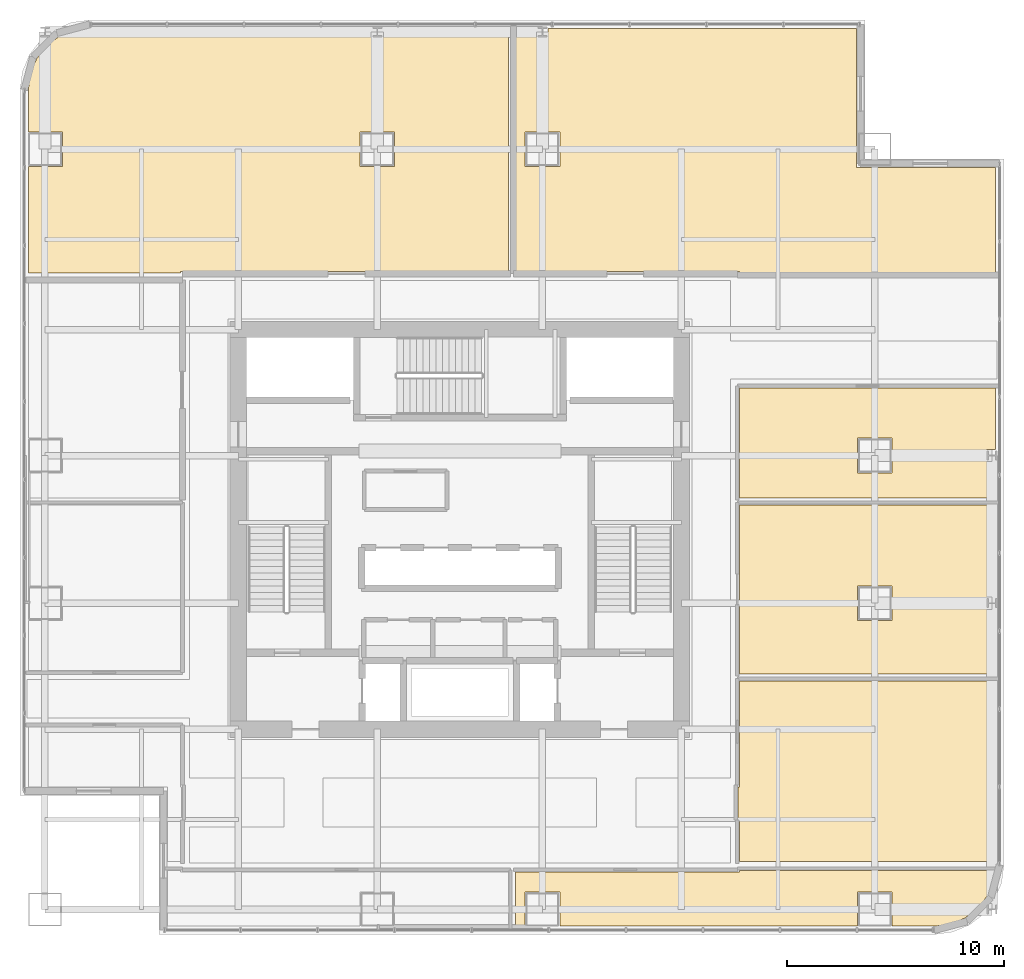
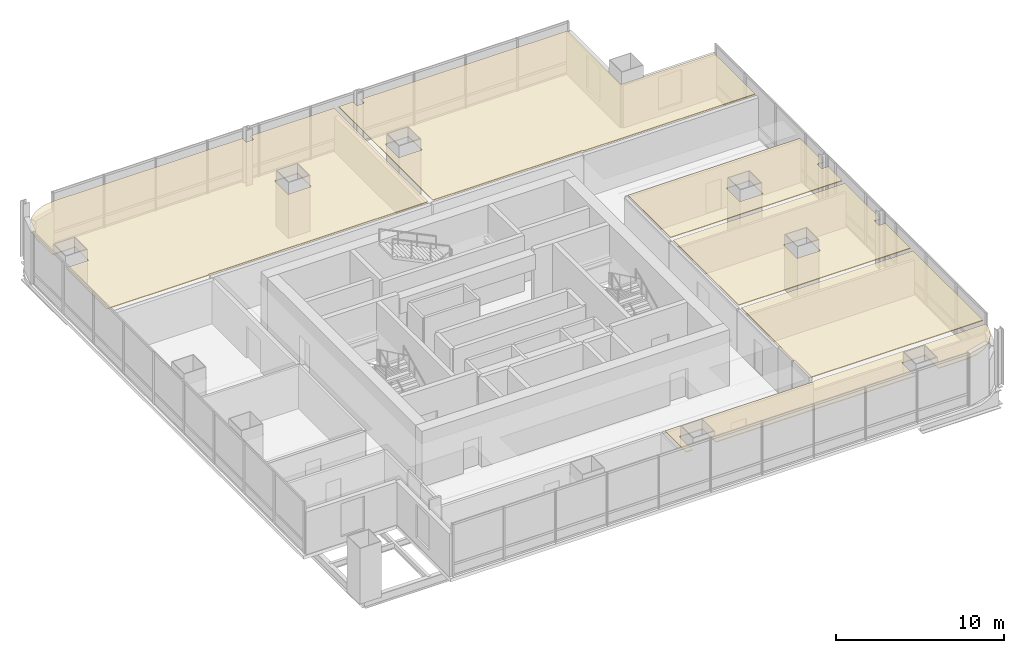
# One storey, part 35 of 35: 6 coverings.
"""IFC4 building model written with IfcOpenShell, lengths in metres."""

from ifc_helpers import new_model, si_unit, direction, frame, origin, place, context, subcontext, project, spatial, polyline, outline, extrude, material, layer, layer_set, type_object, element, save


model = new_model("IFC4")

# Units and contexts
model_context = context("Model", 3, precision=1e-05, world=origin(), true_north=direction((0.0, 1.0)))
body_context = subcontext(model_context, "Body", "Model", "MODEL_VIEW")
ifc_project = project(units=[si_unit("LENGTHUNIT", "METRE"), si_unit("AREAUNIT", "SQUARE_METRE"), si_unit("VOLUMEUNIT", "CUBIC_METRE"), si_unit("PLANEANGLEUNIT", "RADIAN"), si_unit("MASSUNIT", "GRAM", prefix="KILO")], contexts=[model_context])

# Site, building, storey
site_placement = place(None, origin())
site = spatial("IfcSite", under=ifc_project, at=site_placement, CompositionType="ELEMENT")
building_placement = place(site_placement, origin())
building = spatial("IfcBuilding", under=site, at=building_placement, Name="Punatoya Terracotta Tower", CompositionType="ELEMENT")
storey_placement = place(building_placement, frame((0.0, 0.0, 113.25)))
storey = spatial("IfcBuildingStorey", under=building, at=storey_placement, Name="L26", CompositionType="ELEMENT", Elevation=113.25)

# Coverings
ifc_material = material(Name="Acoustic Mineral Fibre Ceiling")
ifc_layer = layer(ifc_material, 0.06005859375)
ifc_layer_set = layer_set([ifc_layer], Name="Acoustic Mineral Fibre Ceiling")
covering_type = type_object("IfcCoveringType", Name="COV-CEIL-60", PredefinedType="CEILING", material=ifc_layer_set)
covering_1_placement = place(storey_placement, frame((0.0, 0.0, 3.199951171875)))
element("IfcCovering", 1, at=covering_1_placement, inside=storey, type_object=covering_type, Name="L26 Open-Plan Executive Bistro Lounge Acoustic Ceiling", PredefinedType="CEILING", context=body_context, shape_type="SweptSolid", body=[
    extrude(outline(polyline([(2.56005859375, -15.77001953125), (2.56005859375, -18.27001953125), (3.0, -18.27001953125), (3.0, -16.699951171875), (4.60009765625, -16.699951171875), (4.60009765625, -18.27001953125), (18.300048828125, -18.27001953125), (18.300048828125, -16.699951171875), (19.89990234375, -16.699951171875), (19.89990234375, -18.27001953125), (21.8251953125, -18.27001953125), (22.5791015625, -18.1708984375), (23.25830078125, -17.889404296875), (23.841796875, -17.441650390625), (24.289306640625, -16.8583984375), (24.57080078125, -16.178955078125), (24.632568359375, -15.7099609375), (12.8701171875, -15.7099609375), (12.8701171875, -15.77001953125), (2.56005859375, -15.77001953125)])), origin(), (0.0, 0.0, 1.0), 0.06005859375),
])
covering_2_placement = place(storey_placement, frame((0.0, 0.0, 3.199951171875)))
element("IfcCovering", 2, at=covering_2_placement, inside=storey, type_object=covering_type, Name="L26 Catering Tea Pantry Acoustic Ceiling", PredefinedType="CEILING", context=body_context, shape_type="SweptSolid", body=[
    extrude(outline(polyline([(12.81005859375, -13.280029296875), (12.8701171875, -13.280029296875), (12.8701171875, -15.2900390625), (24.669921875, -15.2900390625), (24.669921875, -6.969970703125), (12.8701171875, -6.969970703125), (12.8701171875, -11.8701171875), (12.81005859375, -11.8701171875), (12.81005859375, -13.280029296875)])), origin(), (0.0, 0.0, 1.0), 0.06005859375),
])
covering_3_placement = place(storey_placement, frame((0.0, 0.0, 3.199951171875)))
element("IfcCovering", 3, at=covering_3_placement, inside=storey, type_object=covering_type, Name="L26 Open-Plan Private Dining Boardroom Acoustic Ceiling", PredefinedType="CEILING", context=body_context, shape_type="SweptSolid", body=[
    extrude(outline(polyline([(24.669921875, -3.126953125), (24.669921875, 1.1298828125), (12.8701171875, 1.1298828125), (12.8701171875, -6.64990234375), (24.669921875, -6.64990234375), (24.669921875, -3.673095703125), (24.241943359375, -3.673095703125), (24.241943359375, -3.126953125), (24.669921875, -3.126953125)]), holes=[polyline([(19.89990234375, -2.60009765625), (19.89990234375, -4.199951171875), (18.300048828125, -4.199951171875), (18.300048828125, -2.60009765625), (19.89990234375, -2.60009765625)])]), origin(), (0.0, 0.0, 1.0), 0.06005859375),
])
covering_4_placement = place(storey_placement, frame((0.0, 0.0, 3.199951171875)))
element("IfcCovering", 4, at=covering_4_placement, inside=storey, type_object=covering_type, Name="L26 Open-Plan Barista Espresso Pantry Acoustic Ceiling", PredefinedType="CEILING", context=body_context, shape_type="SweptSolid", body=[
    extrude(outline(polyline([(24.669921875, 3.673095703125), (24.669921875, 6.5), (12.8701171875, 6.5), (12.8701171875, 1.449951171875), (24.669921875, 1.449951171875), (24.669921875, 3.126953125), (24.241943359375, 3.126953125), (24.241943359375, 3.673095703125), (24.669921875, 3.673095703125)]), holes=[polyline([(19.89990234375, 2.60009765625), (18.300048828125, 2.60009765625), (18.300048828125, 4.199951171875), (19.89990234375, 4.199951171875), (19.89990234375, 2.60009765625)])]), origin(), (0.0, 0.0, 1.0), 0.06005859375),
])
covering_5_placement = place(storey_placement, frame((0.0, 0.0, 3.199951171875)))
element("IfcCovering", 5, at=covering_5_placement, inside=storey, type_object=covering_type, Name="L26 Terrace Refreshment Lounge Acoustic Ceiling", PredefinedType="CEILING", context=body_context, shape_type="SweptSolid", body=[
    extrude(outline(polyline([(2.56005859375, 11.8701171875), (12.8701171875, 11.8701171875), (12.8701171875, 11.81005859375), (24.669921875, 11.81005859375), (24.669921875, 16.669921875), (18.27001953125, 16.669921875), (18.27001953125, 23.070068359375), (4.05810546875, 23.070068359375), (4.05810546875, 22.626953125), (3.5419921875, 22.626953125), (3.5419921875, 23.070068359375), (2.56005859375, 23.070068359375), (2.56005859375, 11.8701171875)]), holes=[polyline([(3.0, 18.300048828125), (4.60009765625, 18.300048828125), (4.60009765625, 16.699951171875), (3.0, 16.699951171875), (3.0, 18.300048828125)])]), origin(), (0.0, 0.0, 1.0), 0.06005859375),
])
covering_6_placement = place(storey_placement, frame((0.0, 0.0, 3.199951171875)))
element("IfcCovering", 6, at=covering_6_placement, inside=storey, type_object=covering_type, Name="L26 Hospitality Hosting Lounge Acoustic Ceiling", PredefinedType="CEILING", context=body_context, shape_type="SweptSolid", body=[
    extrude(outline(polyline([(-19.041748046875, 22.24169921875), (-19.489501953125, 21.658203125), (-19.770751953125, 20.97900390625), (-19.8701171875, 20.22509765625), (-19.8701171875, 18.300048828125), (-18.300048828125, 18.300048828125), (-18.300048828125, 16.699951171875), (-19.8701171875, 16.699951171875), (-19.8701171875, 11.81005859375), (-12.8701171875, 11.81005859375), (-12.8701171875, 11.8701171875), (2.239990234375, 11.8701171875), (2.239990234375, 23.070068359375), (-3.5419921875, 23.070068359375), (-3.5419921875, 22.626953125), (-4.05810546875, 22.626953125), (-4.05810546875, 23.070068359375), (-17.025146484375, 23.070068359375), (-17.779052734375, 22.970703125), (-18.458251953125, 22.689453125), (-19.041748046875, 22.24169921875)]), holes=[polyline([(-3.0, 18.300048828125), (-3.0, 16.699951171875), (-4.60009765625, 16.699951171875), (-4.60009765625, 18.300048828125), (-3.0, 18.300048828125)])]), origin(), (0.0, 0.0, 1.0), 0.06005859375),
])

save(model, "model.ifc")
